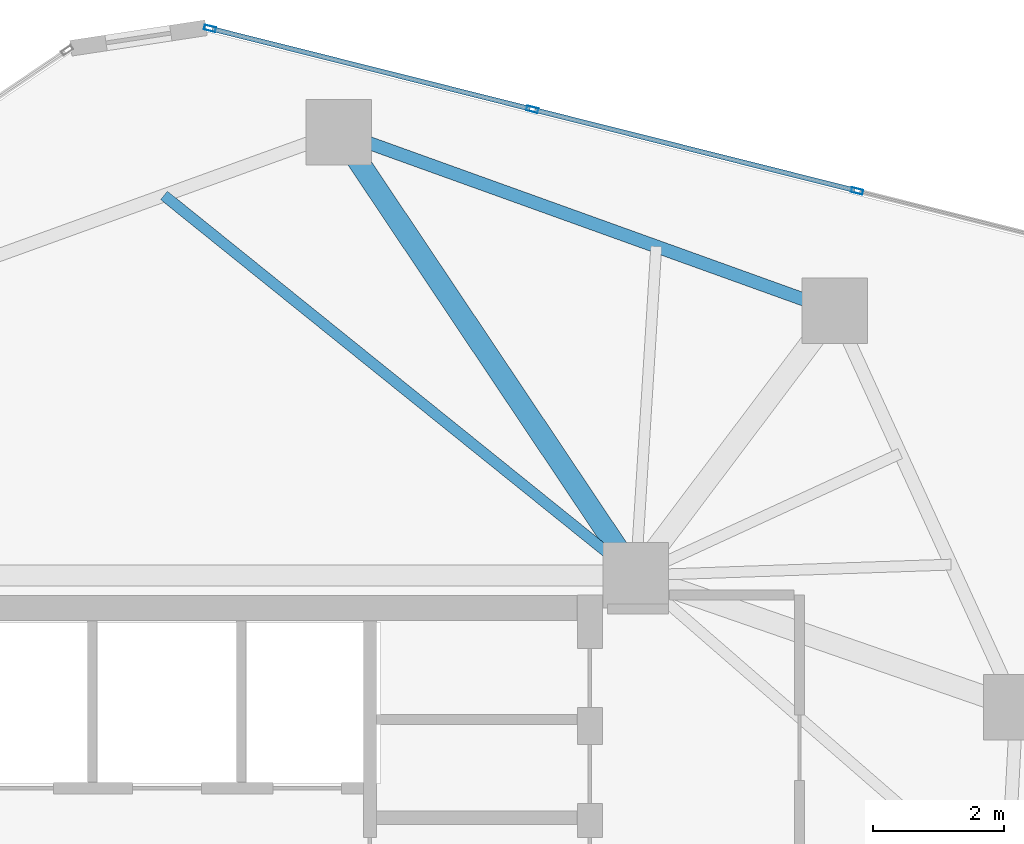
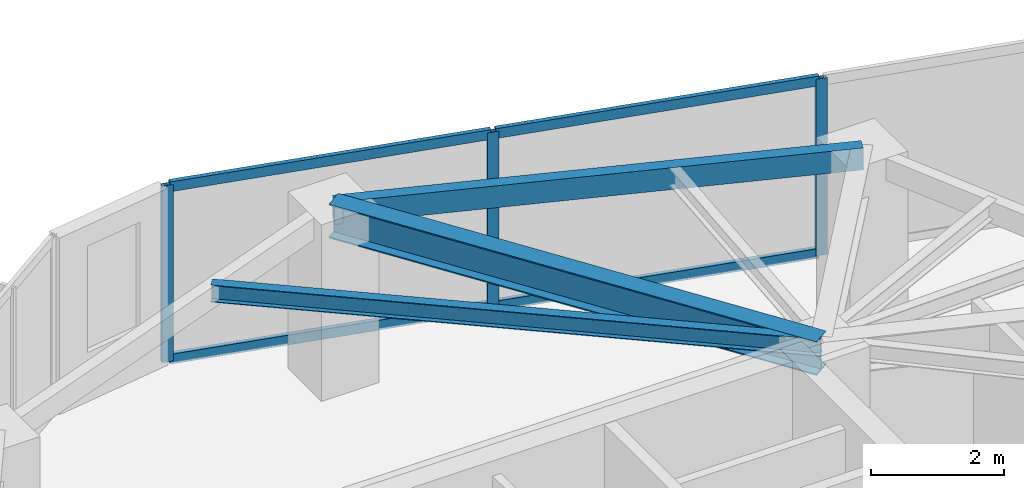
# One storey, part 13 of 20: 7 members, 3 beams, 1 element without a shape of its own.
"""IFC4 building model written with IfcOpenShell, lengths in metres."""

from ifc_helpers import new_model, si_unit, direction, frame, origin, origin_2d, place, context, subcontext, project, spatial, hollow_rectangle, i_section, extrude, source, transform, mapped, material, layer, layer_set, material_profile, profile_set, type_object, type_shapes, element, aggregate, save


model = new_model("IFC4")

# Units and contexts
model_context = context("Model", 3, precision=1e-05, world=origin(), true_north=direction((0.0, 1.0)))
body_context = subcontext(model_context, "Body", "Model", "MODEL_VIEW")
ifc_project = project(units=[si_unit("LENGTHUNIT", "METRE"), si_unit("AREAUNIT", "SQUARE_METRE"), si_unit("VOLUMEUNIT", "CUBIC_METRE"), si_unit("PLANEANGLEUNIT", "RADIAN"), si_unit("MASSUNIT", "GRAM", prefix="KILO")], contexts=[model_context])

# Site, building, storey
site_placement = place(None, origin())
site = spatial("IfcSite", under=ifc_project, at=site_placement, CompositionType="ELEMENT")
building_placement = place(site_placement, origin())
building = spatial("IfcBuilding", under=site, at=building_placement, Name="Talar Marvaseh", CompositionType="ELEMENT")
storey_placement = place(building_placement, frame((0.0, 0.0, 191.5)))
storey = spatial("IfcBuildingStorey", under=building, at=storey_placement, Name="L50", CompositionType="ELEMENT", Elevation=191.5)

# Beams
ifc_material_1 = material(Name="Steel S355", Category="steel")
ifc_material_profile_1 = material_profile(ifc_material_1, hollow_rectangle(XDim=0.199951171875, YDim=0.39990234375, WallThickness=0.013916015625, at=origin_2d()), Name="RHS400x200x14")
ifc_profile_set_1 = profile_set([ifc_material_profile_1], Name="Steel S355")
beam_type_1 = type_object("IfcBeamType", Name="Zone 3 Perimeter Spandrel Beam RHS400x200x14", PredefinedType="SPANDREL", material=ifc_profile_set_1)
beam_1_placement = place(storey_placement, frame((28.76611328125, 43.66796875, 3.030029296875), z_axis=(0.940923359576, -0.3386195969, 0.0), x_axis=(0.3386195969, 0.940923359576, 0.0)))
element("IfcBeam", 1, at=beam_1_placement, inside=storey, type_object=beam_type_1, Name="L50 Zone 3 Perimeter Spandrel Beam RHS400x200x14", PredefinedType="SPANDREL", context=body_context, shape_type="SweptSolid", body=[
    extrude(hollow_rectangle(XDim=0.199951171875, YDim=0.39990234375, WallThickness=0.013916015625, at=origin_2d()), origin(), (0.0, 0.0, 1.0), 8.050537109375),
])
ifc_material_profile_2 = material_profile(ifc_material_1, i_section(OverallWidth=0.324951171875, OverallDepth=0.615966796875, WebThickness=0.013916015625, FlangeThickness=0.021484375, at=origin_2d()), Name="W610x174")
ifc_profile_set_2 = profile_set([ifc_material_profile_2], Name="Steel S355")
beam_type_2 = type_object("IfcBeamType", Name="Zone 3 Radial Floor Girder W610x174", PredefinedType="BEAM", material=ifc_profile_set_2)
beam_2_placement = place(storey_placement, frame((28.76611328125, 43.66796875, 2.922119140625), z_axis=(0.556559209375, -0.830807948, 0.0), x_axis=(0.830807948, 0.556559209375, 0.0)))
element("IfcBeam", 2, at=beam_2_placement, inside=storey, type_object=beam_type_2, Name="L50 Zone 3 Radial Floor Girder W610x174", PredefinedType="BEAM", context=body_context, shape_type="SweptSolid", body=[
    extrude(i_section(OverallWidth=0.324951171875, OverallDepth=0.615966796875, WebThickness=0.013916015625, FlangeThickness=0.021484375, at=origin_2d()), origin(), (0.0, 0.0, 1.0), 8.146484375),
])
ifc_material_profile_3 = material_profile(ifc_material_1, i_section(OverallWidth=0.166015625, OverallDepth=0.31298828125, WebThickness=0.006591796875, FlangeThickness=0.01123046875, at=origin_2d()), Name="W310x45")
ifc_profile_set_3 = profile_set([ifc_material_profile_3], Name="Steel S355")
beam_type_3 = type_object("IfcBeamType", Name="Zone 3 Secondary Floor Joist W310x45", PredefinedType="JOIST", material=ifc_profile_set_3)
beam_3_placement = place(storey_placement, frame((26.096923828125, 42.702392578125, 3.073486328125), z_axis=(0.778755341842, -0.627327759272, 0.0), x_axis=(0.627327759272, 0.778755341842, 0.0)))
element("IfcBeam", 3, at=beam_3_placement, inside=storey, type_object=beam_type_3, Name="L50 Zone 3 Secondary Floor Joist W310x45", PredefinedType="JOIST", context=body_context, shape_type="SweptSolid", body=[
    extrude(i_section(OverallWidth=0.166015625, OverallDepth=0.31298828125, WebThickness=0.006591796875, FlangeThickness=0.01123046875, at=origin_2d()), origin(), (0.0, 0.0, 1.0), 9.24951171875),
])

# Curtain wall, members
ifc_material_2 = material(Name="Architectural Aluminium", Category="aluminium")
ifc_layer = layer(ifc_material_2, 0.18994140625)
ifc_layer_set = layer_set([ifc_layer], Name="Architectural Aluminium")
curtain_wall_type = type_object("IfcCurtainWallType", Name="Unitised Solar Atelier Curtain Wall Z3", PredefinedType="NOTDEFINED", material=ifc_layer_set)
curtain_wall_placement = place(storey_placement, origin())
curtain_wall = element("IfcCurtainWall", 4, at=curtain_wall_placement, inside=storey, type_object=curtain_wall_type, Name="L50 Unitised Solar Atelier Curtain Wall Z3", PredefinedType="NOTDEFINED")
ifc_material_profile_4 = material_profile(ifc_material_2, hollow_rectangle(XDim=0.074951171875, YDim=0.179931640625, WallThickness=0.0048828125, at=origin_2d()), Name="RHS180x75x5")
ifc_profile_set_4 = profile_set([ifc_material_profile_4], Name="Architectural Aluminium")
member_type_1 = type_object("IfcMemberType", Name="Unitised Curtain Wall Standard Mullion RHS180x75x5", PredefinedType="MULLION", material=ifc_profile_set_4)
shared_shape_1 = source(origin(), body_context, "Body", "SweptSolid", [
    extrude(hollow_rectangle(XDim=0.074951171875, YDim=0.179931640625, WallThickness=0.0048828125, at=origin_2d()), origin(), (0.0, 0.0, 1.0), 3.22998046875),
])
type_shapes(member_type_1, [shared_shape_1])
member_1_placement = place(storey_placement, frame((26.799072265625, 45.251708984375, 0.0), z_axis=(0.0, 0.0, 1.0), x_axis=(0.243549441427, 0.969888483064, 0.0)))
member_1 = element("IfcMember", 5, at=member_1_placement, type_object=member_type_1, Name="CW-Z3 mullion 1", PredefinedType="MULLION", context=body_context, shape_type="MappedRepresentation", body=[
    mapped(shared_shape_1, transform((0.0, 0.0, 0.0), x_axis=(1.0, 0.0, 0.0), y_axis=(0.0, 1.0, 0.0), z_axis=(0.0, 0.0, 1.0), scale=1.0)),
])
member_2_placement = place(storey_placement, frame((31.7216796875, 44.015625, 0.0), z_axis=(0.0, 0.0, 1.0), x_axis=(0.243549441427, 0.969888483064, 0.0)))
member_2 = element("IfcMember", 6, at=member_2_placement, type_object=member_type_1, Name="CW-Z3 mullion 2", PredefinedType="MULLION", context=body_context, shape_type="MappedRepresentation", body=[
    mapped(shared_shape_1, transform((0.0, 0.0, 0.0), x_axis=(1.0, 0.0, 0.0), y_axis=(0.0, 1.0, 0.0), z_axis=(0.0, 0.0, 1.0), scale=1.0)),
])
member_3_placement = place(storey_placement, frame((36.6806640625, 42.770263671875, 0.0), z_axis=(0.0, 0.0, 1.0), x_axis=(0.243549441427, 0.969888483064, 0.0)))
member_3 = element("IfcMember", 7, at=member_3_placement, type_object=member_type_1, Name="CW-Z3 mullion 3", PredefinedType="MULLION", context=body_context, shape_type="MappedRepresentation", body=[
    mapped(shared_shape_1, transform((0.0, 0.0, 0.0), x_axis=(1.0, 0.0, 0.0), y_axis=(0.0, 1.0, 0.0), z_axis=(0.0, 0.0, 1.0), scale=1.0)),
])
ifc_material_profile_5 = material_profile(ifc_material_2, hollow_rectangle(XDim=0.074951171875, YDim=0.179931640625, WallThickness=0.0048828125, at=origin_2d()), Name="RHS180x75x5")
ifc_profile_set_5 = profile_set([ifc_material_profile_5], Name="Architectural Aluminium")
member_type_2 = type_object("IfcMemberType", Name="Unitised Curtain Wall Transom RHS180x75x5", PredefinedType="USERDEFINED", material=ifc_profile_set_5)
shared_shape_2 = source(origin(), body_context, "Body", "SweptSolid", [
    extrude(hollow_rectangle(XDim=0.074951171875, YDim=0.179931640625, WallThickness=0.0048828125, at=origin_2d()), origin(), (0.0, 0.0, 1.0), 5.00048828125),
])
member_4_placement = place(storey_placement, frame((26.83544921875, 45.24267578125, 0.03759765625), z_axis=(0.969880587101, -0.243580883415, 0.0), x_axis=(0.243580883415, 0.969880587101, 0.0)))
member_4 = element("IfcMember", 8, at=member_4_placement, type_object=member_type_2, Name="CW-Z3 transom 1.1", ObjectType="TRANSOM", PredefinedType="USERDEFINED", context=body_context, shape_type="MappedRepresentation", body=[
    mapped(shared_shape_2, transform((0.0, 0.0, 0.0), x_axis=(1.0, 0.0, 0.0), y_axis=(0.0, 1.0, 0.0), z_axis=(0.0, 0.0, 1.0), scale=1.0)),
])
member_5_placement = place(storey_placement, frame((26.83544921875, 45.24267578125, 3.1923828125), z_axis=(0.969880587101, -0.243580883415, 0.0), x_axis=(0.243580883415, 0.969880587101, 0.0)))
member_5 = element("IfcMember", 9, at=member_5_placement, type_object=member_type_2, Name="CW-Z3 transom 1.2", ObjectType="TRANSOM", PredefinedType="USERDEFINED", context=body_context, shape_type="MappedRepresentation", body=[
    mapped(shared_shape_2, transform((0.0, 0.0, 0.0), x_axis=(1.0, 0.0, 0.0), y_axis=(0.0, 1.0, 0.0), z_axis=(0.0, 0.0, 1.0), scale=1.0)),
])
shared_shape_3 = source(origin(), body_context, "Body", "SweptSolid", [
    extrude(hollow_rectangle(XDim=0.074951171875, YDim=0.179931640625, WallThickness=0.0048828125, at=origin_2d()), origin(), (0.0, 0.0, 1.0), 5.037841796875),
])
type_shapes(member_type_2, [shared_shape_2, shared_shape_3])
member_6_placement = place(storey_placement, frame((31.758056640625, 44.006591796875, 0.03759765625), z_axis=(0.969885402594, -0.243561708476, 0.0), x_axis=(0.243561708476, 0.969885402594, 0.0)))
member_6 = element("IfcMember", 10, at=member_6_placement, type_object=member_type_2, Name="CW-Z3 transom 2.1", ObjectType="TRANSOM", PredefinedType="USERDEFINED", context=body_context, shape_type="MappedRepresentation", body=[
    mapped(shared_shape_3, transform((0.0, 0.0, 0.0), x_axis=(1.0, 0.0, 0.0), y_axis=(0.0, 1.0, 0.0), z_axis=(0.0, 0.0, 1.0), scale=1.0)),
])
member_7_placement = place(storey_placement, frame((31.758056640625, 44.006591796875, 3.1923828125), z_axis=(0.969885402594, -0.243561708476, 0.0), x_axis=(0.243561708476, 0.969885402594, 0.0)))
member_7 = element("IfcMember", 11, at=member_7_placement, type_object=member_type_2, Name="CW-Z3 transom 2.2", ObjectType="TRANSOM", PredefinedType="USERDEFINED", context=body_context, shape_type="MappedRepresentation", body=[
    mapped(shared_shape_3, transform((0.0, 0.0, 0.0), x_axis=(1.0, 0.0, 0.0), y_axis=(0.0, 1.0, 0.0), z_axis=(0.0, 0.0, 1.0), scale=1.0)),
])
aggregate(curtain_wall, [member_1, member_2, member_3, member_4, member_5, member_6, member_7])

save(model, "model.ifc")
